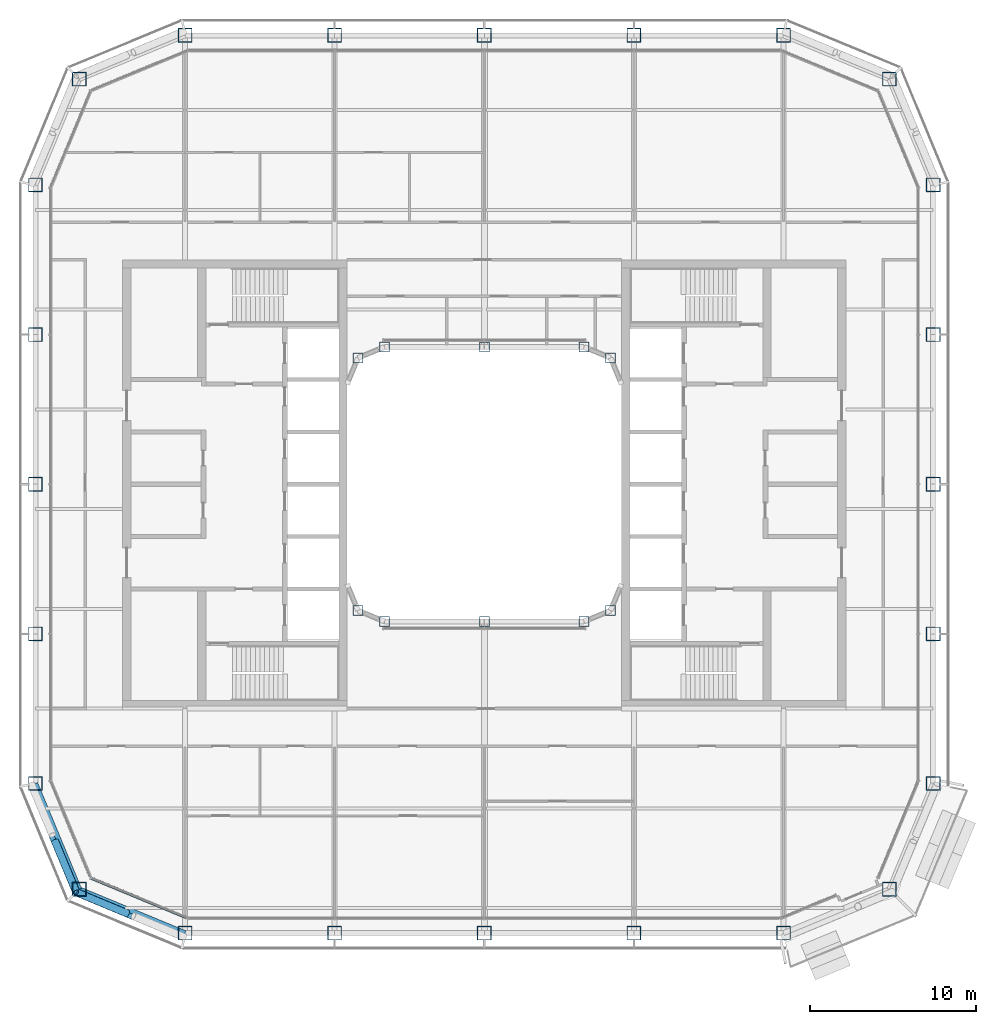
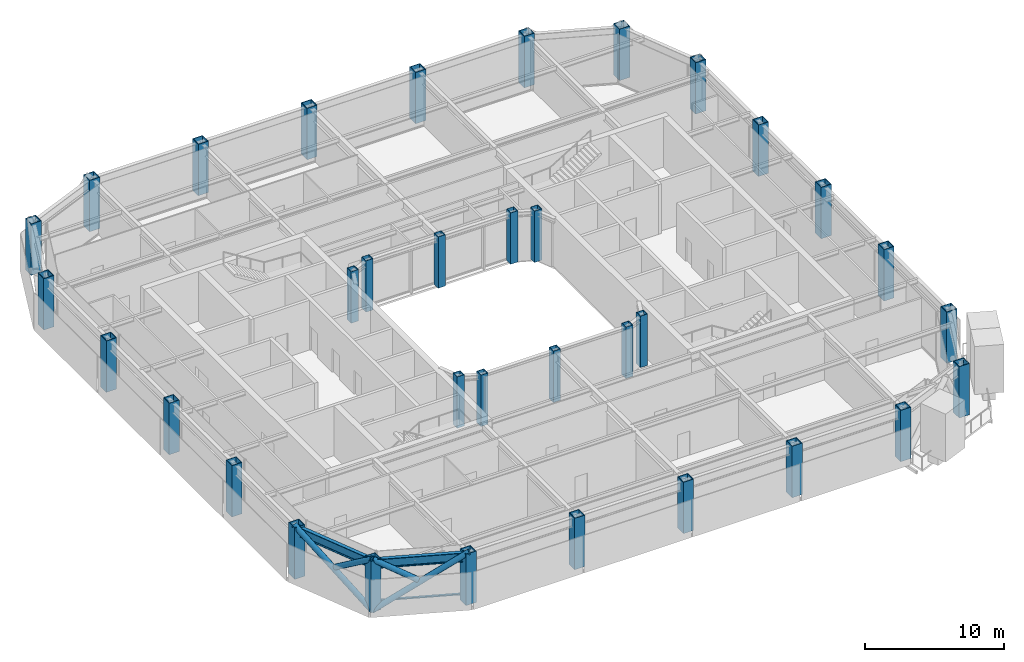
# One storey, part 1 of 22: 34 columns, 5 members, 2 beams, 1 element without a shape of its own.
"""IFC4 building model written with IfcOpenShell, lengths in metres."""

from ifc_helpers import new_model, si_unit, direction, frame, origin, origin_2d, place, context, subcontext, project, spatial, rectangle, hollow_rectangle, hollow_circle, i_section, extrude, material, layer, layer_set, material_profile, profile_set, type_object, element, aggregate, save


model = new_model("IFC4")

# Units and contexts
model_context = context("Model", 3, precision=1e-05, world=origin(), true_north=direction((0.0, 1.0)))
body_context = subcontext(model_context, "Body", "Model", "MODEL_VIEW")
ifc_project = project(units=[si_unit("LENGTHUNIT", "METRE"), si_unit("AREAUNIT", "SQUARE_METRE"), si_unit("VOLUMEUNIT", "CUBIC_METRE"), si_unit("PLANEANGLEUNIT", "RADIAN"), si_unit("MASSUNIT", "GRAM", prefix="KILO")], contexts=[model_context])

# Site, building, storey
site_placement = place(None, origin())
site = spatial("IfcSite", under=ifc_project, at=site_placement, CompositionType="ELEMENT")
building_placement = place(site_placement, origin())
building = spatial("IfcBuilding", under=site, at=building_placement, Name="Siwar Civic Tower", CompositionType="ELEMENT")
storey_placement = place(building_placement, frame((0.0, 0.0, 219.699951171875)))
storey = spatial("IfcBuildingStorey", under=building, at=storey_placement, Name="L47", CompositionType="ELEMENT", Elevation=219.699951171875)

# Columns
ifc_material_1 = material(Name="Steel S355", Category="steel")
ifc_material_profile_1 = material_profile(ifc_material_1, hollow_rectangle(XDim=0.85009765625, YDim=0.85009765625, WallThickness=0.050048828125, at=origin_2d()), Name="BOX850x850x50")
ifc_profile_set_1 = profile_set([ifc_material_profile_1], Name="Steel S355")
column_type_1 = type_object("IfcColumnType", Name="STR-COL-BOX850x850x50", PredefinedType="COLUMN", material=ifc_profile_set_1)
for number, where, z_axis, x_axis, name in (
    (1, (-18.0, -27.0, 0.0), (0.0, 0.0, 1.0), (1.0, 0.0, 0.0), "L47/col/S-0"),
    (2, (-9.0, -27.0, 0.0), (0.0, 0.0, 1.0), (1.0, 0.0, 0.0), "L47/col/S-1"),
    (3, (0.0, -27.0, 0.0), (0.0, 0.0, 1.0), (1.0, 0.0, 0.0), "L47/col/S-2"),
    (4, (9.0, -27.0, 0.0), (0.0, 0.0, 1.0), (1.0, 0.0, 0.0), "L47/col/S-3"),
    (5, (18.0, -27.0, 0.0), (0.0, 0.0, 1.0), (1.0, 0.0, 0.0), "L47/col/SE1-0"),
    (6, (24.364013671875, -24.364013671875, 0.0), (0.0, 0.0, 1.0), (1.0, 0.0, 0.0), "L47/col/SE2-0"),
    (7, (27.0, -18.0, 0.0), (0.0, 0.0, 1.0), (1.0, 0.0, 0.0), "L47/col/E-0"),
    (8, (27.0, -9.0, 0.0), (0.0, 0.0, 1.0), (1.0, 0.0, 0.0), "L47/col/E-1"),
    (9, (27.0, 0.0, 0.0), (0.0, 0.0, 1.0), (1.0, 0.0, 0.0), "L47/col/E-2"),
    (10, (27.0, 9.0, 0.0), (0.0, 0.0, 1.0), (1.0, 0.0, 0.0), "L47/col/E-3"),
    (11, (27.0, 18.0, 0.0), (0.0, 0.0, 1.0), (1.0, 0.0, 0.0), "L47/col/NE1-0"),
    (12, (24.364013671875, 24.364013671875, 0.0), (0.0, 0.0, 1.0), (1.0, 0.0, 0.0), "L47/col/NE2-0"),
    (13, (18.0, 27.0, 0.0), (0.0, 0.0, 1.0), (1.0, 0.0, 0.0), "L47/col/N-0"),
    (14, (9.0, 27.0, 0.0), (0.0, 0.0, 1.0), (1.0, 0.0, 0.0), "L47/col/N-1"),
    (15, (0.0, 27.0, 0.0), (0.0, 0.0, 1.0), (1.0, 0.0, 0.0), "L47/col/N-2"),
    (16, (-9.0, 27.0, 0.0), (0.0, 0.0, 1.0), (1.0, 0.0, 0.0), "L47/col/N-3"),
    (17, (-18.0, 27.0, 0.0), (0.0, 0.0, 1.0), (1.0, 0.0, 0.0), "L47/col/NW1-0"),
    (18, (-24.364013671875, 24.364013671875, 0.0), (0.0, 0.0, 1.0), (1.0, 0.0, 0.0), "L47/col/NW2-0"),
    (19, (-27.0, 18.0, 0.0), (0.0, 0.0, 1.0), (1.0, 0.0, 0.0), "L47/col/W-0"),
    (20, (-27.0, 9.0, 0.0), (0.0, 0.0, 1.0), (1.0, 0.0, 0.0), "L47/col/W-1"),
    (21, (-27.0, 0.0, 0.0), (0.0, 0.0, 1.0), (1.0, 0.0, 0.0), "L47/col/W-2"),
    (22, (-27.0, -9.0, 0.0), (0.0, 0.0, 1.0), (1.0, 0.0, 0.0), "L47/col/W-3"),
    (23, (-27.0, -18.0, 0.0), (0.0, 0.0, 1.0), (1.0, 0.0, 0.0), "L47/col/SW1-0"),
    (24, (-24.364013671875, -24.364013671875, 0.0), (0.0, 0.0, 1.0), (1.0, 0.0, 0.0), "L47/col/SW2-0"),
):
    element("IfcColumn", number, at=place(storey_placement, frame(where, z_axis=z_axis, x_axis=x_axis)), inside=storey, type_object=column_type_1, Name=name, PredefinedType="COLUMN", context=body_context, shape_type="SweptSolid", body=[
        extrude(hollow_rectangle(XDim=0.85009765625, YDim=0.85009765625, WallThickness=0.050048828125, at=origin_2d()), origin(), (0.0, 0.0, 1.0), 4.5),
    ])
ifc_material_2 = material(Name="Steel S355", Category="steel")
ifc_material_profile_2 = material_profile(ifc_material_2, hollow_rectangle(XDim=0.60009765625, YDim=0.60009765625, WallThickness=0.031982421875, at=origin_2d()), Name="BOX600x600x32")
ifc_profile_set_2 = profile_set([ifc_material_profile_2], Name="Steel S355")
column_type_2 = type_object("IfcColumnType", Name="STR-ICOL-BOX600x600x32", PredefinedType="COLUMN", material=ifc_profile_set_2)
for number, where, z_axis, x_axis, name in (
    (25, (-7.591064453125, -7.591064453125, 0.0), (0.0, 0.0, 1.0), (1.0, 0.0, 0.0), "L47/col/IS-0"),
    (26, (-6.0, -8.25, 0.0), (0.0, 0.0, 1.0), (1.0, 0.0, 0.0), "L47/col/IS-1"),
    (27, (0.0, -8.25, 0.0), (0.0, 0.0, 1.0), (1.0, 0.0, 0.0), "L47/col/IS-2"),
    (28, (6.0, -8.25, 0.0), (0.0, 0.0, 1.0), (1.0, 0.0, 0.0), "L47/col/IS-3"),
    (29, (7.591064453125, -7.591064453125, 0.0), (0.0, 0.0, 1.0), (1.0, 0.0, 0.0), "L47/col/IS-4"),
    (30, (-7.591064453125, 7.591064453125, 0.0), (0.0, 0.0, 1.0), (1.0, 0.0, 0.0), "L47/col/IN-0"),
    (31, (-6.0, 8.25, 0.0), (0.0, 0.0, 1.0), (1.0, 0.0, 0.0), "L47/col/IN-1"),
    (32, (0.0, 8.25, 0.0), (0.0, 0.0, 1.0), (1.0, 0.0, 0.0), "L47/col/IN-2"),
    (33, (6.0, 8.25, 0.0), (0.0, 0.0, 1.0), (1.0, 0.0, 0.0), "L47/col/IN-3"),
    (34, (7.591064453125, 7.591064453125, 0.0), (0.0, 0.0, 1.0), (1.0, 0.0, 0.0), "L47/col/IN-4"),
):
    element("IfcColumn", number, at=place(storey_placement, frame(where, z_axis=z_axis, x_axis=x_axis)), inside=storey, type_object=column_type_2, Name=name, PredefinedType="COLUMN", context=body_context, shape_type="SweptSolid", body=[
        extrude(hollow_rectangle(XDim=0.60009765625, YDim=0.60009765625, WallThickness=0.031982421875, at=origin_2d()), origin(), (0.0, 0.0, 1.0), 4.5),
    ])

# Curtain wall, member
ifc_material_3 = material(Name="Aluminium clad insulated panel", Category="aluminium")
ifc_layer = layer(ifc_material_3, 0.179931640625)
ifc_layer_set = layer_set([ifc_layer], Name="Aluminium clad insulated panel")
curtain_wall_type = type_object("IfcCurtainWallType", Name="ENV-CW-CX", PredefinedType="NOTDEFINED", material=ifc_layer_set)
curtain_wall_placement = place(storey_placement, origin())
curtain_wall = element("IfcCurtainWall", 35, at=curtain_wall_placement, inside=storey, type_object=curtain_wall_type, Name="Curtain wall C SW2", PredefinedType="NOTDEFINED")
ifc_material_4 = material(Name="Aluminium 6063-T6", Category="aluminium")
ifc_material_profile_3 = material_profile(ifc_material_4, rectangle(XDim=0.179931640625, YDim=0.10009765625, at=origin_2d()), Name="AL 180x100")
ifc_profile_set_3 = profile_set([ifc_material_profile_3], Name="Aluminium 6063-T6")
member_type_1 = type_object("IfcMemberType", Name="ENV-TRANSOM-C", PredefinedType="USERDEFINED", material=ifc_profile_set_3)
member_1_placement = place(storey_placement, frame((-23.6474609375, -23.6865234375, 0.050048828125), z_axis=(0.923876246063, -0.382691366456, 0.0), x_axis=(0.382691366456, 0.923876246063, 0.0)))
member_1 = element("IfcMember", 36, at=member_1_placement, type_object=member_type_1, Name="Transom C SW2 1", ObjectType="TRANSOM", PredefinedType="USERDEFINED", context=body_context, shape_type="SweptSolid", body=[
    extrude(rectangle(XDim=0.179931640625, YDim=0.10009765625, at=origin_2d()), origin(), (0.0, 0.0, 1.0), 6.20166015625),
])
aggregate(curtain_wall, [member_1])

# Members
ifc_material_5 = material(Name="Steel S355", Category="steel")
ifc_material_profile_4 = material_profile(ifc_material_5, hollow_circle(Radius=0.228515625, WallThickness=0.02001953125, at=origin_2d()), Name="CHS457x20")
ifc_profile_set_4 = profile_set([ifc_material_profile_4], Name="Steel S355")
member_type_2 = type_object("IfcMemberType", Name="STR-BR-CHS457x20", PredefinedType="BRACE", material=ifc_profile_set_4)
member_2_placement = place(storey_placement, frame((-24.540771484375, -24.540771484375, 0.0), z_axis=(0.777554562952, -0.323905527954, 0.538975055633), x_axis=(0.384538969033, 0.923108759191, 0.0)))
element("IfcMember", 37, at=member_2_placement, inside=storey, type_object=member_type_2, Name="L47/brc/CSW1-7-0-1", PredefinedType="BRACE", context=body_context, shape_type="SweptSolid", body=[
    extrude(hollow_circle(Radius=0.228515625, WallThickness=0.02001953125, at=origin_2d()), origin(), (0.0, 0.0, 1.0), 8.34912109375),
])
member_3_placement = place(storey_placement, frame((-21.486572265625, -25.81298828125, 2.383056640625), z_axis=(-0.777572496853, 0.323895306243, 0.538955325357), x_axis=(-0.38452107079, -0.92311621485, 0.0)))
element("IfcMember", 38, at=member_3_placement, inside=storey, type_object=member_type_2, Name="L47/brc/CSW1-7-0-3", PredefinedType="BRACE", context=body_context, shape_type="SweptSolid", body=[
    extrude(hollow_circle(Radius=0.228515625, WallThickness=0.02001953125, at=origin_2d()), origin(), (0.0, 0.0, 1.0), 3.927978515625),
])
member_4_placement = place(storey_placement, frame((-24.540771484375, -24.540771484375, 0.0), z_axis=(-0.323905527954, 0.777554562952, 0.538975055633), x_axis=(-0.923108759191, -0.384538969033, 0.0)))
element("IfcMember", 39, at=member_4_placement, inside=storey, type_object=member_type_2, Name="L47/brc/CSW1-7-0-0", PredefinedType="BRACE", context=body_context, shape_type="SweptSolid", body=[
    extrude(hollow_circle(Radius=0.228515625, WallThickness=0.02001953125, at=origin_2d()), origin(), (0.0, 0.0, 1.0), 8.34912109375),
])
member_5_placement = place(storey_placement, frame((-25.81298828125, -21.486572265625, 2.383056640625), z_axis=(0.323895306243, -0.777572496853, 0.538955325357), x_axis=(0.92311621485, 0.38452107079, 0.0)))
element("IfcMember", 40, at=member_5_placement, inside=storey, type_object=member_type_2, Name="L47/brc/CSW1-7-0-5", PredefinedType="BRACE", context=body_context, shape_type="SweptSolid", body=[
    extrude(hollow_circle(Radius=0.228515625, WallThickness=0.02001953125, at=origin_2d()), origin(), (0.0, 0.0, 1.0), 3.927978515625),
])

# Beams
ifc_material_6 = material(Name="Steel S355", Category="steel")
ifc_material_profile_5 = material_profile(ifc_material_6, i_section(OverallWidth=0.300048828125, OverallDepth=0.800048828125, WebThickness=0.017578125, FlangeThickness=0.032958984375, FilletRadius=0.030029296875, at=origin_2d()), Name="HEB800")
ifc_profile_set_5 = profile_set([ifc_material_profile_5], Name="Steel S355")
beam_type = type_object("IfcBeamType", Name="STR-SB-HEB800", PredefinedType="BEAM", material=ifc_profile_set_5)
for number, where, z_axis, x_axis, name in (
    (41, (-27.0, -18.0, 3.949951171875), (0.382674207535, -0.923883353507, 0.0), (0.923883353507, 0.382674207535, 0.0), "L47/bm/SSW1-0"),
    (42, (-24.364013671875, -24.364013671875, 3.949951171875), (0.923883353507, -0.382674207535, 0.0), (0.382674207535, 0.923883353507, 0.0), "L47/bm/SSW2-0"),
):
    element("IfcBeam", number, at=place(storey_placement, frame(where, z_axis=z_axis, x_axis=x_axis)), inside=storey, type_object=beam_type, Name=name, PredefinedType="BEAM", context=body_context, shape_type="SweptSolid", body=[
        extrude(i_section(OverallWidth=0.300048828125, OverallDepth=0.800048828125, WebThickness=0.017578125, FlangeThickness=0.032958984375, FilletRadius=0.030029296875, at=origin_2d()), origin(), (0.0, 0.0, 1.0), 6.888427734375),
    ])

save(model, "model.ifc")
